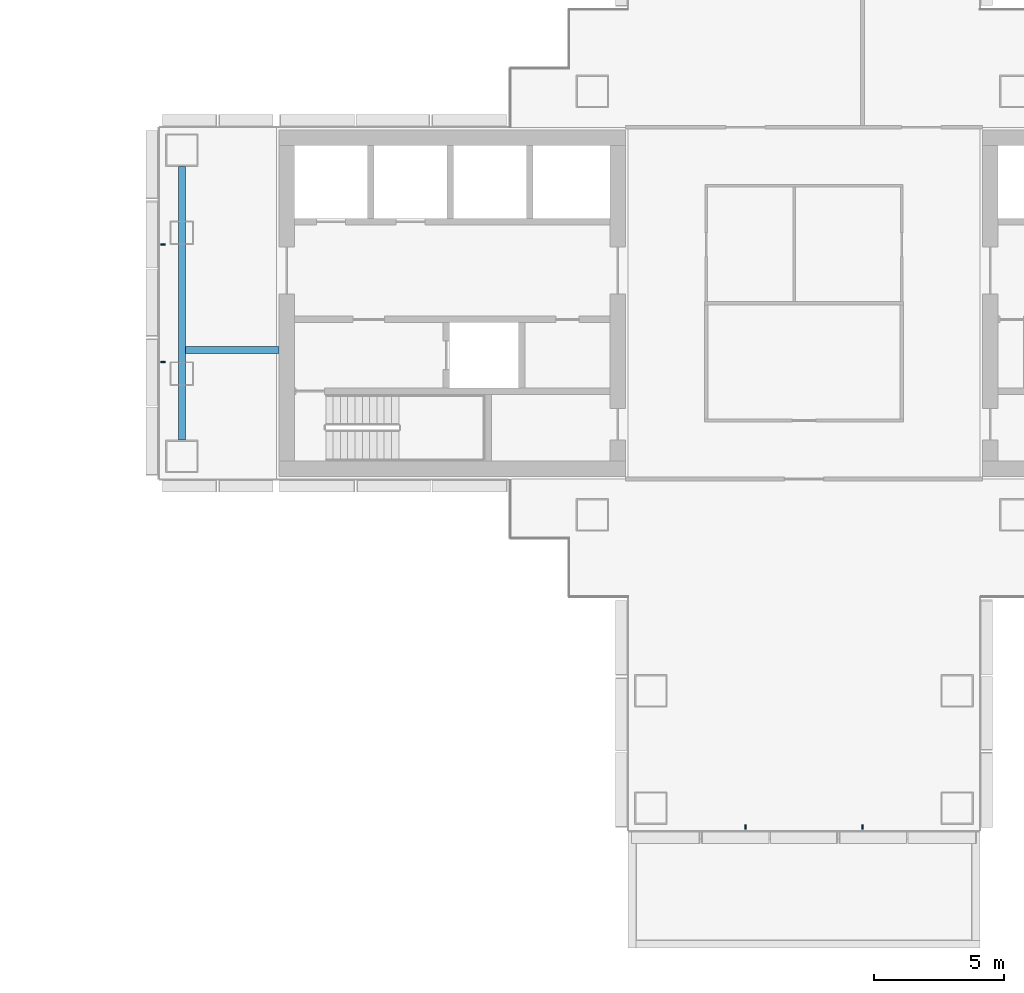
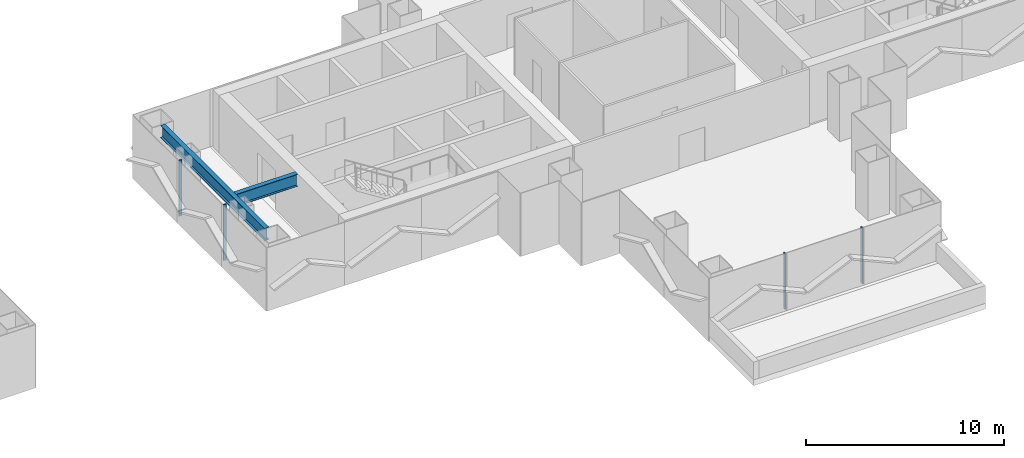
# One storey, part 5 of 20: 4 members, 2 beams, 2 elements without a shape of their own.
"""IFC4 building model written with IfcOpenShell, lengths in metres."""

from ifc_helpers import new_model, si_unit, direction, frame, origin, origin_2d, place, context, subcontext, project, spatial, rectangle, i_section, extrude, material, layer, layer_set, material_profile, profile_set, type_object, element, aggregate, save


model = new_model("IFC4")

# Units and contexts
model_context = context("Model", 3, precision=1e-05, world=origin(), true_north=direction((0.0, 1.0)))
body_context = subcontext(model_context, "Body", "Model", "MODEL_VIEW")
ifc_project = project(units=[si_unit("LENGTHUNIT", "METRE"), si_unit("AREAUNIT", "SQUARE_METRE"), si_unit("VOLUMEUNIT", "CUBIC_METRE"), si_unit("PLANEANGLEUNIT", "RADIAN"), si_unit("MASSUNIT", "GRAM", prefix="KILO")], contexts=[model_context])

# Site, building, storey
site_placement = place(None, origin())
site = spatial("IfcSite", under=ifc_project, at=site_placement, CompositionType="ELEMENT")
building_placement = place(site_placement, origin())
building = spatial("IfcBuilding", under=site, at=building_placement, Name="Shamsa Quay Exchange Towers", CompositionType="ELEMENT")
storey_placement = place(building_placement, frame((0.0, 0.0, 81.89990234375)))
storey = spatial("IfcBuildingStorey", under=building, at=storey_placement, Name="L18", CompositionType="ELEMENT", Elevation=81.89990234375)

# Curtain wall, members
ifc_material_1 = material(Name="Aluminium EN AW-6063 T6, black anodised", Category="aluminium")
ifc_layer = layer(ifc_material_1, 0.280029296875)
ifc_layer_set = layer_set([ifc_layer], Name="CW-1 UNITISED VISION GLASS")
curtain_wall_type = type_object("IfcCurtainWallType", Name="CW-1 UNITISED VISION GLASS", PredefinedType="NOTDEFINED", material=ifc_layer_set)
curtain_wall_1_placement = place(storey_placement, origin())
curtain_wall_1 = element("IfcCurtainWall", 1, at=curtain_wall_1_placement, inside=storey, type_object=curtain_wall_type, Name="CW1 T2-END-V+ L18", PredefinedType="NOTDEFINED")
ifc_material_profile_1 = material_profile(ifc_material_1, rectangle(XDim=0.179931640625, YDim=0.06005859375, at=origin_2d()), Name="MU60x180")
ifc_profile_set_1 = profile_set([ifc_material_profile_1], Name="Aluminium EN AW-6063 T6, black anodised")
member_type = type_object("IfcMemberType", Name="CW1 MULLION 60x180", PredefinedType="MULLION", material=ifc_profile_set_1)
member_1_placement = place(storey_placement, frame((9.14990234375, 2.25, 0.0)))
member_1 = element("IfcMember", 2, at=member_1_placement, type_object=member_type, Name="CW1 mullion", PredefinedType="MULLION", context=body_context, shape_type="SweptSolid", body=[
    extrude(rectangle(XDim=0.179931640625, YDim=0.06005859375, at=origin_2d()), origin(), (0.0, 0.0, 1.0), 3.4501953125),
])
member_2_placement = place(storey_placement, frame((9.14990234375, -2.25, 0.0)))
member_2 = element("IfcMember", 3, at=member_2_placement, type_object=member_type, Name="CW1 mullion", PredefinedType="MULLION", context=body_context, shape_type="SweptSolid", body=[
    extrude(rectangle(XDim=0.179931640625, YDim=0.06005859375, at=origin_2d()), origin(), (0.0, 0.0, 1.0), 3.4501953125),
])
aggregate(curtain_wall_1, [member_1, member_2])

curtain_wall_2_placement = place(storey_placement, origin())
curtain_wall_2 = element("IfcCurtainWall", 4, at=curtain_wall_2_placement, inside=storey, type_object=curtain_wall_type, Name="CW1 T2-END-U- L18", PredefinedType="NOTDEFINED")
member_3_placement = place(storey_placement, frame((31.5, -20.10009765625, 0.0), z_axis=(0.0, 0.0, 1.0), x_axis=(0.0, 1.0, 0.0)))
member_3 = element("IfcMember", 5, at=member_3_placement, type_object=member_type, Name="CW1 mullion", PredefinedType="MULLION", context=body_context, shape_type="SweptSolid", body=[
    extrude(rectangle(XDim=0.179931640625, YDim=0.06005859375, at=origin_2d()), origin(), (0.0, 0.0, 1.0), 3.4501953125),
])
member_4_placement = place(storey_placement, frame((36.0, -20.10009765625, 0.0), z_axis=(0.0, 0.0, 1.0), x_axis=(0.0, 1.0, 0.0)))
member_4 = element("IfcMember", 6, at=member_4_placement, type_object=member_type, Name="CW1 mullion", PredefinedType="MULLION", context=body_context, shape_type="SweptSolid", body=[
    extrude(rectangle(XDim=0.179931640625, YDim=0.06005859375, at=origin_2d()), origin(), (0.0, 0.0, 1.0), 3.4501953125),
])
aggregate(curtain_wall_2, [member_3, member_4])

# Beams
ifc_material_2 = material(Name="Steel S355", Category="steel")
ifc_material_profile_2 = material_profile(ifc_material_2, i_section(OverallWidth=0.26611328125, OverallDepth=0.7578125, WebThickness=0.013916015625, FlangeThickness=0.019287109375, at=origin_2d()), Name="W30x108")
ifc_profile_set_2 = profile_set([ifc_material_profile_2], Name="Steel S355")
beam_type = type_object("IfcBeamType", Name="End-zone beam W30x108", PredefinedType="BEAM", material=ifc_profile_set_2)
beam_1_placement = place(storey_placement, frame((9.875, -5.25, 3.171142578125), z_axis=(0.0, 1.0, 0.0), x_axis=(-1.0, 0.0, 0.0)))
element("IfcBeam", 7, at=beam_1_placement, inside=storey, type_object=beam_type, Name="End beam T2 V+ end zone L18", PredefinedType="BEAM", context=body_context, shape_type="SweptSolid", body=[
    extrude(i_section(OverallWidth=0.26611328125, OverallDepth=0.7578125, WebThickness=0.013916015625, FlangeThickness=0.019287109375, at=origin_2d()), origin(), (0.0, 0.0, 1.0), 10.5),
])
beam_2_placement = place(storey_placement, frame((13.60009765625, -1.800048828125, 3.171142578125), z_axis=(-1.0, 0.0, 0.0), x_axis=(0.0, -1.0, 0.0)))
element("IfcBeam", 8, at=beam_2_placement, inside=storey, type_object=beam_type, Name="Spine beam T2 V+ end zone L18", PredefinedType="BEAM", context=body_context, shape_type="SweptSolid", body=[
    extrude(i_section(OverallWidth=0.26611328125, OverallDepth=0.7578125, WebThickness=0.013916015625, FlangeThickness=0.019287109375, at=origin_2d()), origin(), (0.0, 0.0, 1.0), 3.592041015625),
])

save(model, "model.ifc")
